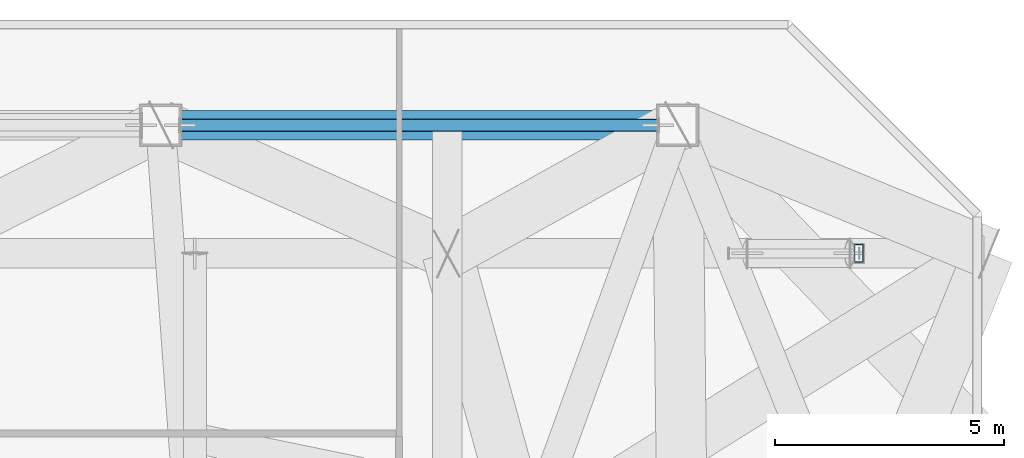
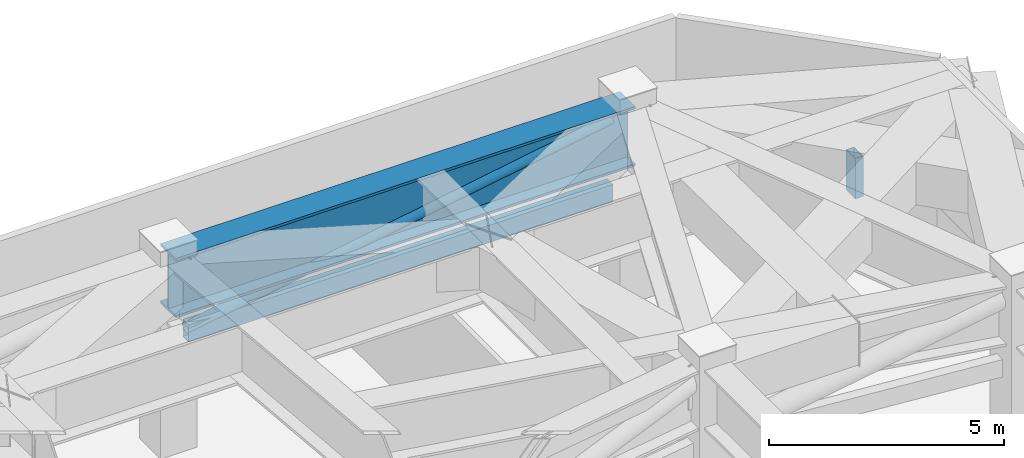
# One storey, part 6 of 19: 3 members, 1 beam.
"""IFC4 building model written with IfcOpenShell, lengths in metres."""

from ifc_helpers import new_model, si_unit, direction, frame, origin, origin_2d, place, context, subcontext, project, spatial, hollow_rectangle, hollow_circle, i_section, extrude, material, material_profile, profile_set, type_object, element, save


model = new_model("IFC4")

# Units and contexts
model_context = context("Model", 3, precision=1e-05, world=origin(), true_north=direction((0.0, 1.0)))
body_context = subcontext(model_context, "Body", "Model", "MODEL_VIEW")
ifc_project = project(units=[si_unit("LENGTHUNIT", "METRE"), si_unit("AREAUNIT", "SQUARE_METRE"), si_unit("VOLUMEUNIT", "CUBIC_METRE"), si_unit("PLANEANGLEUNIT", "RADIAN"), si_unit("MASSUNIT", "GRAM", prefix="KILO")], contexts=[model_context])

# Site, building, storey
site_placement = place(None, origin())
site = spatial("IfcSite", under=ifc_project, at=site_placement, CompositionType="ELEMENT")
building_placement = place(site_placement, origin())
building = spatial("IfcBuilding", under=site, at=building_placement, Name="Khamvora Tower", CompositionType="ELEMENT")
storey_placement = place(building_placement, frame((0.0, 0.0, 150.5)))
storey = spatial("IfcBuildingStorey", under=building, at=storey_placement, Name="L38", CompositionType="ELEMENT", Elevation=150.5)

# Beam
ifc_material_1 = material(Name="Steel S460", Category="steel")
ifc_material_profile_1 = material_profile(ifc_material_1, i_section(OverallWidth=0.64990234375, OverallDepth=1.550048828125, WebThickness=0.0400390625, FlangeThickness=0.06494140625, at=origin_2d()), Name="PG1550x650x40x65")
ifc_profile_set_1 = profile_set([ifc_material_profile_1], Name="Steel S460")
beam_type = type_object("IfcBeamType", Name="BM-TG-PG1800", PredefinedType="BEAM", material=ifc_profile_set_1)
beam_placement = place(storey_placement, frame((49.949951171875, 47.300048828125, 4.205078125), z_axis=(-1.0, 0.0, 0.0), x_axis=(0.0, -1.0, 0.0)))
element("IfcBeam", 1, at=beam_placement, inside=storey, type_object=beam_type, Name="L38 perimeter spandrel beam N4-N3", PredefinedType="BEAM", context=body_context, shape_type="SweptSolid", body=[
    extrude(i_section(OverallWidth=0.64990234375, OverallDepth=1.550048828125, WebThickness=0.0400390625, FlangeThickness=0.06494140625, at=origin_2d()), origin(), (0.0, 0.0, 1.0), 11.300048828125),
])

# Members
ifc_material_profile_2 = material_profile(ifc_material_1, hollow_rectangle(XDim=0.25, YDim=0.449951171875, WallThickness=0.01611328125, at=origin_2d()), Name="RHS450x250x16")
ifc_profile_set_2 = profile_set([ifc_material_profile_2], Name="Steel S460")
member_type_1 = type_object("IfcMemberType", Name="MEM-CH-RHS450", PredefinedType="CHORD", material=ifc_profile_set_2)
member_1_placement = place(storey_placement, frame((39.080078125, 47.300048828125, 2.760009765625), z_axis=(1.0, 0.0, 0.0), x_axis=(0.0, 1.0, 0.0)))
element("IfcMember", 2, at=member_1_placement, inside=storey, type_object=member_type_1, Name="L38 Perimeter Belt Truss Bottom Chord 2.3", PredefinedType="CHORD", context=body_context, shape_type="SweptSolid", body=[
    extrude(hollow_rectangle(XDim=0.25, YDim=0.449951171875, WallThickness=0.01611328125, at=origin_2d()), origin(), (0.0, 0.0, 1.0), 10.43994140625),
])
ifc_material_2 = material(Name="Steel S355", Category="steel")
ifc_material_profile_3 = material_profile(ifc_material_2, hollow_rectangle(XDim=0.199951171875, YDim=0.39990234375, WallThickness=0.01611328125, at=origin_2d()), Name="RHS400x200x16")
ifc_profile_set_3 = profile_set([ifc_material_profile_3], Name="Steel S355")
member_type_2 = type_object("IfcMemberType", Name="MEM-PS-RHS400", PredefinedType="POST", material=ifc_profile_set_3)
member_2_placement = place(storey_placement, frame((53.9130859375, 44.5, 2.840087890625), z_axis=(0.0, 0.0, 1.0), x_axis=(1.0, 0.0, 0.0)))
element("IfcMember", 3, at=member_2_placement, inside=storey, type_object=member_type_2, Name="L38 Zone Transfer Truss Vertical Web Post N4", PredefinedType="POST", context=body_context, shape_type="SweptSolid", body=[
    extrude(hollow_rectangle(XDim=0.199951171875, YDim=0.39990234375, WallThickness=0.01611328125, at=origin_2d()), origin(), (0.0, 0.0, 1.0), 1.0498046875),
])
ifc_material_profile_4 = material_profile(ifc_material_2, hollow_circle(Radius=0.136474609375, WallThickness=0.011962890625, at=origin_2d()), Name="CHS273x12")
ifc_profile_set_4 = profile_set([ifc_material_profile_4], Name="Steel S355")
member_type_3 = type_object("IfcMemberType", Name="MEM-ST-CHS273", PredefinedType="STRUT", material=ifc_profile_set_4)
member_3_placement = place(storey_placement, frame((39.073974609375, 47.300048828125, 2.8330078125), z_axis=(0.985430065115, 0.0, 0.170081118197), x_axis=(0.0, 1.0, 0.0)))
element("IfcMember", 4, at=member_3_placement, inside=storey, type_object=member_type_3, Name="L38 plant perimeter tie strut 2", PredefinedType="STRUT", context=body_context, shape_type="SweptSolid", body=[
    extrude(hollow_circle(Radius=0.136474609375, WallThickness=0.011962890625, at=origin_2d()), origin(), (0.0, 0.0, 1.0), 10.6064453125),
])

save(model, "model.ifc")
